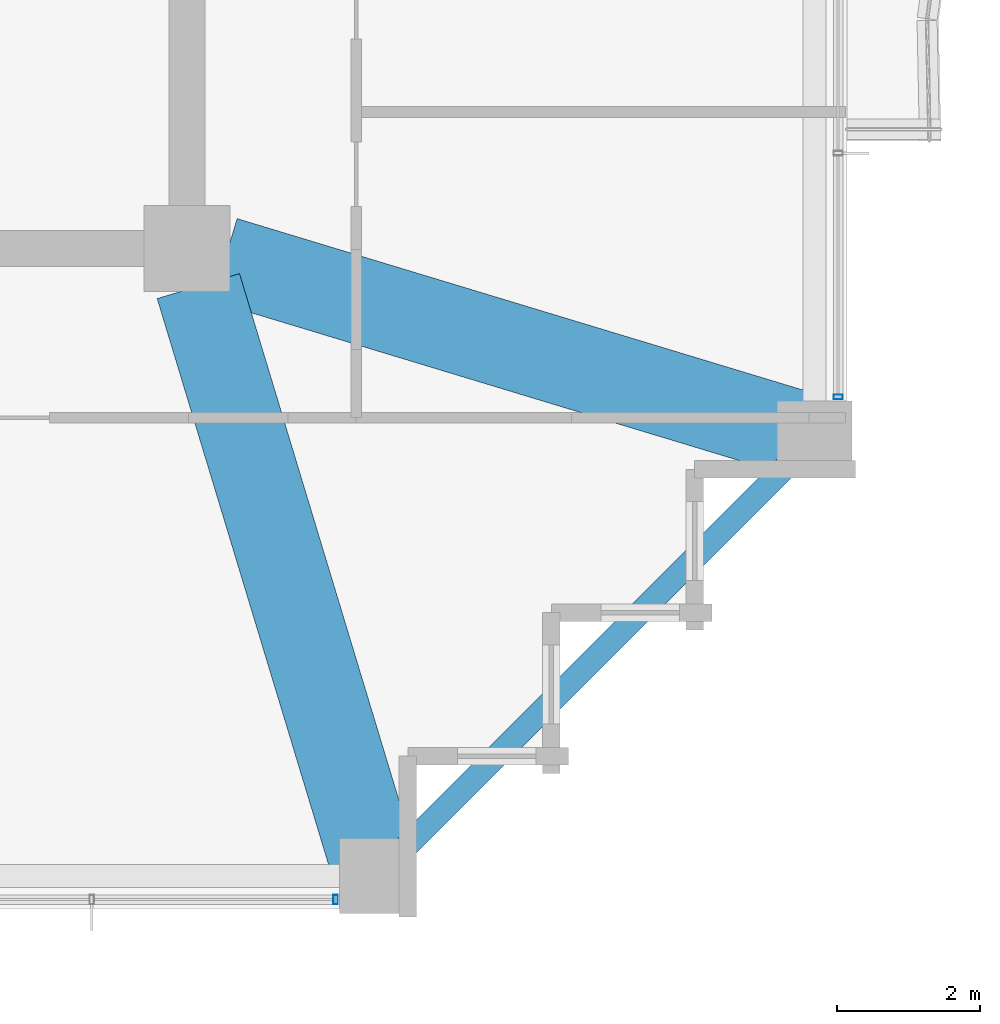
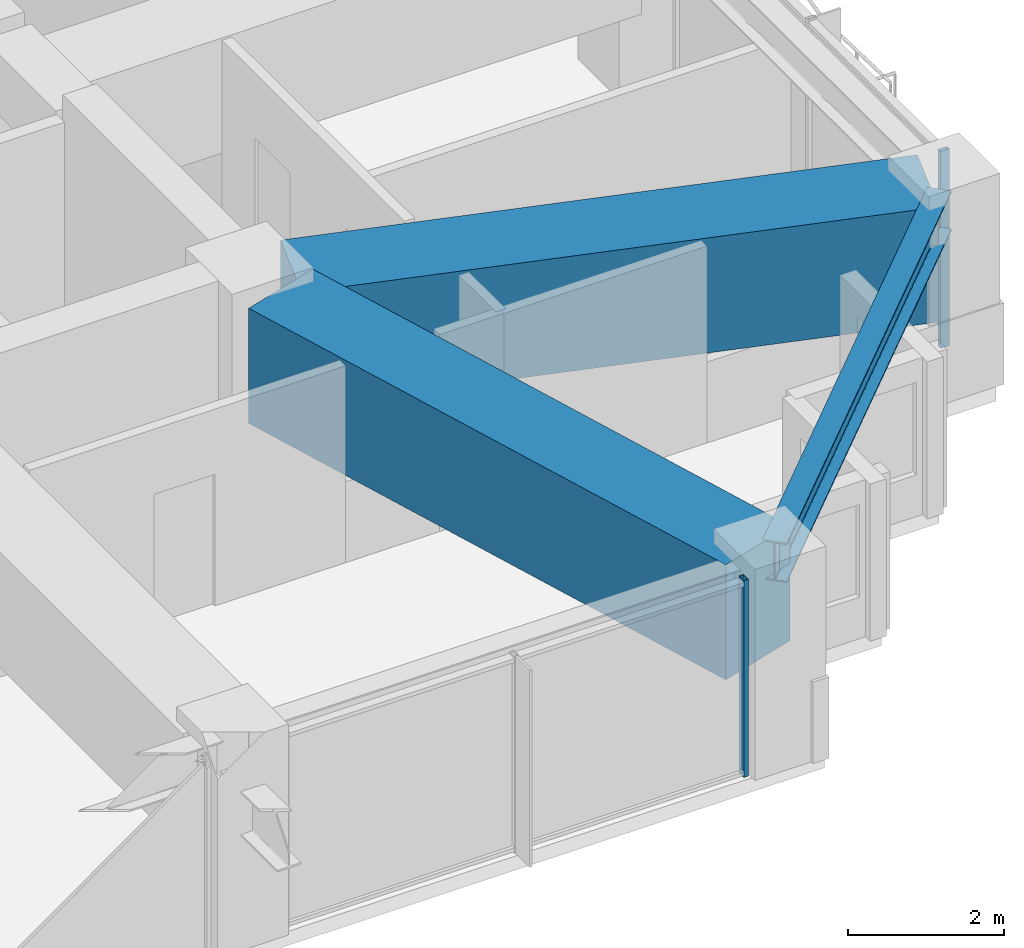
# One storey, part 14 of 36: 3 beams, 2 members, 2 elements without a shape of their own.
"""IFC4 building model written with IfcOpenShell, lengths in metres."""

from ifc_helpers import new_model, si_unit, direction, frame, origin, origin_2d, place, context, subcontext, project, spatial, rectangle, hollow_rectangle, i_section, extrude, material, material_profile, profile_set, type_object, element, aggregate, save


model = new_model("IFC4")

# Units and contexts
model_context = context("Model", 3, precision=1e-05, world=origin(), true_north=direction((0.0, 1.0)))
body_context = subcontext(model_context, "Body", "Model", "MODEL_VIEW")
ifc_project = project(units=[si_unit("LENGTHUNIT", "METRE"), si_unit("AREAUNIT", "SQUARE_METRE"), si_unit("VOLUMEUNIT", "CUBIC_METRE"), si_unit("PLANEANGLEUNIT", "RADIAN"), si_unit("MASSUNIT", "GRAM", prefix="KILO")], contexts=[model_context])

# Site, building, storey
site_placement = place(None, origin())
site = spatial("IfcSite", under=ifc_project, at=site_placement, CompositionType="ELEMENT")
building_placement = place(site_placement, origin())
building = spatial("IfcBuilding", under=site, at=building_placement, Name="Kolvaren Belvedere", CompositionType="ELEMENT")
storey_placement = place(building_placement, frame((0.0, 0.0, 108.5)))
storey = spatial("IfcBuildingStorey", under=building, at=storey_placement, Name="L31", CompositionType="ELEMENT", Elevation=108.5)

# Beams
ifc_material_1 = material(Name="Structural steel ASTM A992 Grade 50", Category="steel")
ifc_material_profile_1 = material_profile(ifc_material_1, i_section(OverallWidth=0.324951171875, OverallDepth=0.615966796875, WebThickness=0.013916015625, FlangeThickness=0.021484375, FilletRadius=0.02001953125, at=origin_2d()), Name="W24X117")
ifc_profile_set_1 = profile_set([ifc_material_profile_1], Name="Structural steel ASTM A992 Grade 50")
beam_type_1 = type_object("IfcBeamType", Name="BM-SPAN-W24X117", PredefinedType="SPANDREL", material=ifc_profile_set_1)
beam_placement = place(storey_placement, frame((12.717041015625, -18.48291015625, 2.77197265625), z_axis=(0.707106781187, 0.707106781187, 0.0), x_axis=(-0.707106781187, 0.707106781187, 0.0)))
element("IfcBeam", 1, at=beam_placement, inside=storey, type_object=beam_type_1, Name="L31 Perimeter Spandrel S4-E1", PredefinedType="SPANDREL", context=body_context, shape_type="SweptSolid", body=[
    extrude(i_section(OverallWidth=0.324951171875, OverallDepth=0.615966796875, WebThickness=0.013916015625, FlangeThickness=0.021484375, FilletRadius=0.02001953125, at=origin_2d()), origin(), (0.0, 0.0, 1.0), 8.154052734375),
])
ifc_material_2 = material(Name="Concrete C50/60", Category="concrete")
ifc_material_profile_2 = material_profile(ifc_material_2, rectangle(XDim=1.199951171875, YDim=1.800048828125, at=origin_2d()), Name="RC 1200X1800")
ifc_profile_set_2 = profile_set([ifc_material_profile_2], Name="Concrete C50/60")
beam_type_2 = type_object("IfcBeamType", Name="BM-TG-1800", PredefinedType="BEAM", material=ifc_profile_set_2)
for number, where, z_axis, x_axis, name in (
    (2, (10.059326171875, -10.426513671875, 2.179931640625), (0.289858652454, -0.957069465398, 0.0), (0.957069465398, 0.289858652454, 0.0), "L31 Corner Core-to-Perimeter Girder CC2-S4"),
    (3, (10.426513671875, -10.059326171875, 2.179931640625), (0.957069465398, -0.289858652454, 0.0), (0.289858652454, 0.957069465398, 0.0), "L31 Corner Core-to-Perimeter Girder CC2-E1"),
):
    element("IfcBeam", number, at=place(storey_placement, frame(where, z_axis=z_axis, x_axis=x_axis)), inside=storey, type_object=beam_type_2, Name=name, PredefinedType="BEAM", context=body_context, shape_type="SweptSolid", body=[
        extrude(rectangle(XDim=1.199951171875, YDim=1.800048828125, at=origin_2d()), origin(), (0.0, 0.0, 1.0), 8.38232421875),
    ])

# Curtain wall, member
ifc_material_3 = material(Name="Anodised pale-metal aluminium AA 6063-T6", Category="aluminium")
curtain_wall_type = type_object("IfcCurtainWallType", Name="CW-Z3-WAIST", PredefinedType="NOTDEFINED", material=ifc_material_3)
curtain_wall_1_placement = place(storey_placement, origin())
curtain_wall_1 = element("IfcCurtainWall", 4, at=curtain_wall_1_placement, inside=storey, type_object=curtain_wall_type, Name="L31 Unitised Curtain Wall FCW-L31-S-B1", PredefinedType="NOTDEFINED")
ifc_material_4 = material(Name="Anodised pale-metal aluminium AA 6063-T6", Category="aluminium")
ifc_material_profile_3 = material_profile(ifc_material_4, hollow_rectangle(XDim=0.06494140625, YDim=0.1298828125, WallThickness=0.00390625, at=origin_2d()), Name="ALU-MUL-130X65")
ifc_profile_set_3 = profile_set([ifc_material_profile_3], Name="Anodised pale-metal aluminium AA 6063-T6")
member_type = type_object("IfcMemberType", Name="CW-MUL-130", PredefinedType="MULLION", material=ifc_profile_set_3)
member_1_placement = place(storey_placement, frame((11.972412109375, -18.97998046875, 0.0), z_axis=(0.0, 0.0, 1.0), x_axis=(1.0, 0.0, 0.0)))
member_1 = element("IfcMember", 5, at=member_1_placement, type_object=member_type, Name="FCW-L31-S-B1 Unitised Mullion 1", PredefinedType="MULLION", context=body_context, shape_type="SweptSolid", body=[
    extrude(hollow_rectangle(XDim=0.06494140625, YDim=0.1298828125, WallThickness=0.00390625, at=origin_2d()), origin(), (0.0, 0.0, 1.0), 3.080078125),
])
aggregate(curtain_wall_1, [member_1])

curtain_wall_2_placement = place(storey_placement, origin())
curtain_wall_2 = element("IfcCurtainWall", 6, at=curtain_wall_2_placement, inside=storey, type_object=curtain_wall_type, Name="L31 Unitised Curtain Wall FCW-L31-E2-B2", PredefinedType="NOTDEFINED")
member_2_placement = place(storey_placement, frame((18.97998046875, -11.972412109375, 0.0), z_axis=(0.0, 0.0, 1.0), x_axis=(0.0, 1.0, 0.0)))
member_2 = element("IfcMember", 7, at=member_2_placement, type_object=member_type, Name="FCW-L31-E2-B2 Unitised Mullion 3", PredefinedType="MULLION", context=body_context, shape_type="SweptSolid", body=[
    extrude(hollow_rectangle(XDim=0.06494140625, YDim=0.1298828125, WallThickness=0.00390625, at=origin_2d()), origin(), (0.0, 0.0, 1.0), 3.080078125),
])
aggregate(curtain_wall_2, [member_2])

save(model, "model.ifc")
